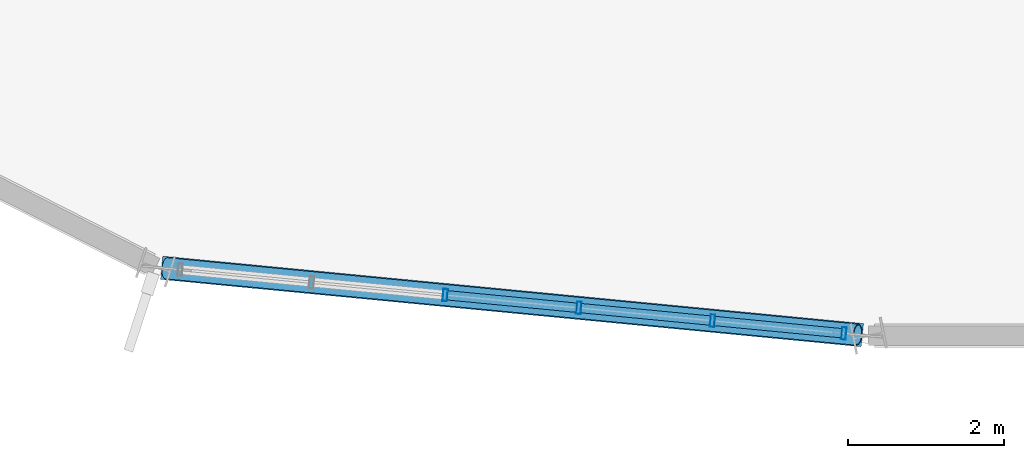
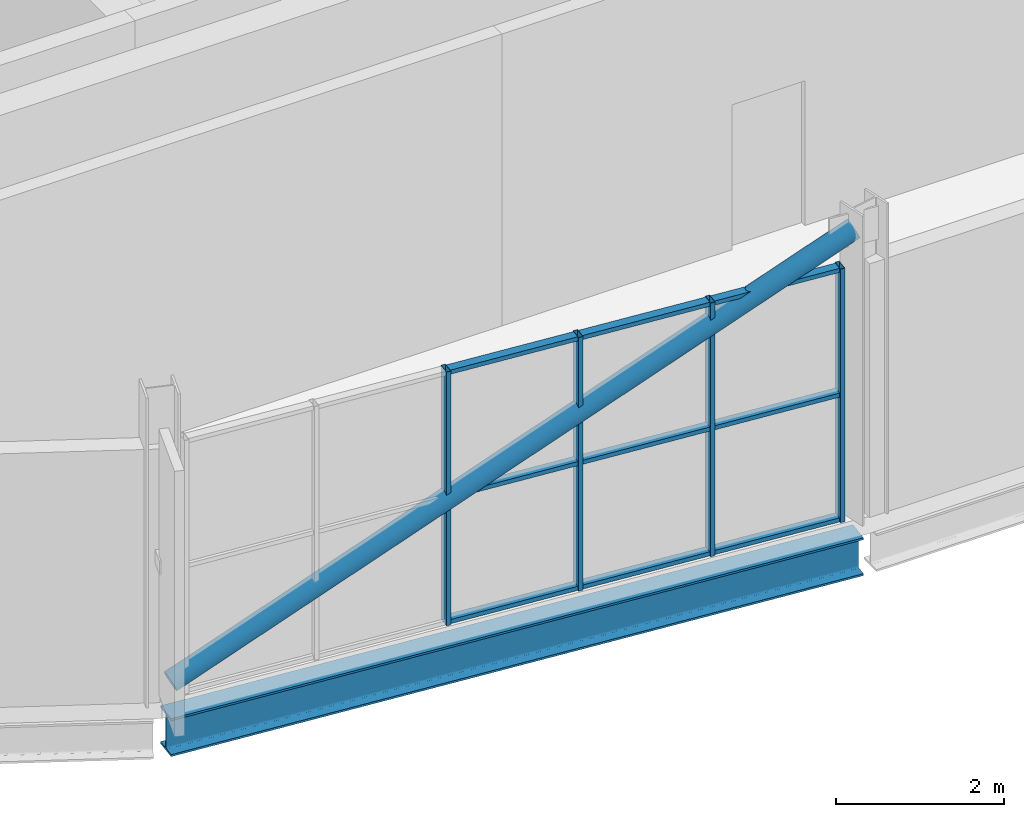
# One storey, part 5 of 22: 14 members, 1 beam, 1 element without a shape of its own.
"""IFC4 building model written with IfcOpenShell, lengths in metres."""

from ifc_helpers import new_model, si_unit, direction, frame, origin, origin_2d, place, context, subcontext, project, spatial, hollow_rectangle, hollow_circle, i_section, extrude, material, layer, layer_set, material_profile, profile_set, type_object, element, aggregate, save


model = new_model("IFC4")

# Units and contexts
model_context = context("Model", 3, precision=1e-05, world=origin(), true_north=direction((0.0, 1.0)))
body_context = subcontext(model_context, "Body", "Model", "MODEL_VIEW")
ifc_project = project(units=[si_unit("LENGTHUNIT", "METRE"), si_unit("AREAUNIT", "SQUARE_METRE"), si_unit("VOLUMEUNIT", "CUBIC_METRE"), si_unit("PLANEANGLEUNIT", "RADIAN"), si_unit("MASSUNIT", "GRAM", prefix="KILO")], contexts=[model_context])

# Site, building, storey
site_placement = place(None, origin())
site = spatial("IfcSite", under=ifc_project, at=site_placement, CompositionType="ELEMENT")
building_placement = place(site_placement, origin())
building = spatial("IfcBuilding", under=site, at=building_placement, Name="Solnavia Interchange Tower", CompositionType="ELEMENT")
storey_placement = place(building_placement, frame((0.0, 0.0, 317.699951171875)))
storey = spatial("IfcBuildingStorey", under=building, at=storey_placement, Name="C04", CompositionType="ELEMENT", Elevation=317.699951171875)

# Curtain wall, members
ifc_material_1 = material(Name="Aluminium Alloy 6063-T6", Category="aluminium")
ifc_layer = layer(ifc_material_1, 0.179931640625)
ifc_layer_set = layer_set([ifc_layer], Name="Aluminium Alloy 6063-T6")
curtain_wall_type = type_object("IfcCurtainWallType", Name="CurtainWall-Crown-CTW6", PredefinedType="NOTDEFINED", material=ifc_layer_set)
curtain_wall_placement = place(storey_placement, origin())
curtain_wall = element("IfcCurtainWall", 1, at=curtain_wall_placement, inside=storey, type_object=curtain_wall_type, Name="CTW-C04-R13 CTW-6 curtain wall", PredefinedType="NOTDEFINED")
ifc_material_profile_1 = material_profile(ifc_material_1, hollow_rectangle(XDim=0.06005859375, YDim=0.159912109375, WallThickness=0.00390625, at=origin_2d()), Name="ALU 160x60x4")
ifc_profile_set_1 = profile_set([ifc_material_profile_1], Name="Aluminium Alloy 6063-T6")
member_type_1 = type_object("IfcMemberType", Name="CW-Mullion-CWM-6", PredefinedType="MULLION", material=ifc_profile_set_1)
member_1_placement = place(storey_placement, frame((23.3603515625, 4.123046875, 0.0), z_axis=(0.0, 0.0, 1.0), x_axis=(0.995408264531, -0.095720357833, 0.0)))
member_1 = element("IfcMember", 2, at=member_1_placement, type_object=member_type_1, Name="CTW-6 mullion 3", PredefinedType="MULLION", context=body_context, shape_type="SweptSolid", body=[
    extrude(hollow_rectangle(XDim=0.06005859375, YDim=0.159912109375, WallThickness=0.00390625, at=origin_2d()), origin(), (0.0, 0.0, 1.0), 3.679931640625),
])
member_2_placement = place(storey_placement, frame((25.077880859375, 3.9580078125, 0.0), z_axis=(0.0, 0.0, 1.0), x_axis=(0.995408264531, -0.095720357833, 0.0)))
member_2 = element("IfcMember", 3, at=member_2_placement, type_object=member_type_1, Name="CTW-6 mullion 4", PredefinedType="MULLION", context=body_context, shape_type="SweptSolid", body=[
    extrude(hollow_rectangle(XDim=0.06005859375, YDim=0.159912109375, WallThickness=0.00390625, at=origin_2d()), origin(), (0.0, 0.0, 1.0), 3.679931640625),
])
member_3_placement = place(storey_placement, frame((26.795166015625, 3.792724609375, 0.0), z_axis=(0.0, 0.0, 1.0), x_axis=(0.995408264531, -0.095720357833, 0.0)))
member_3 = element("IfcMember", 4, at=member_3_placement, type_object=member_type_1, Name="CTW-6 mullion 5", PredefinedType="MULLION", context=body_context, shape_type="SweptSolid", body=[
    extrude(hollow_rectangle(XDim=0.06005859375, YDim=0.159912109375, WallThickness=0.00390625, at=origin_2d()), origin(), (0.0, 0.0, 1.0), 3.679931640625),
])
member_4_placement = place(storey_placement, frame((28.48291015625, 3.63037109375, 0.0), z_axis=(0.0, 0.0, 1.0), x_axis=(0.995408264531, -0.095720357833, 0.0)))
member_4 = element("IfcMember", 5, at=member_4_placement, type_object=member_type_1, Name="CTW-6 mullion 6", PredefinedType="MULLION", context=body_context, shape_type="SweptSolid", body=[
    extrude(hollow_rectangle(XDim=0.06005859375, YDim=0.159912109375, WallThickness=0.00390625, at=origin_2d()), origin(), (0.0, 0.0, 1.0), 3.679931640625),
])
ifc_material_profile_2 = material_profile(ifc_material_1, hollow_rectangle(XDim=0.06005859375, YDim=0.1201171875, WallThickness=0.00390625, at=origin_2d()), Name="ALU 120x60x4")
ifc_profile_set_2 = profile_set([ifc_material_profile_2], Name="Aluminium Alloy 6063-T6")
member_type_2 = type_object("IfcMemberType", Name="CW-Transom-CWT-6", PredefinedType="USERDEFINED", material=ifc_profile_set_2)
member_5_placement = place(storey_placement, frame((23.39013671875, 4.1201171875, 0.030029296875), z_axis=(0.995407417391, -0.095729166945, 0.0), x_axis=(0.0, 0.0, 1.0)))
member_5 = element("IfcMember", 6, at=member_5_placement, type_object=member_type_2, Name="CTW-6 transom 3.1", ObjectType="TRANSOM", PredefinedType="USERDEFINED", context=body_context, shape_type="SweptSolid", body=[
    extrude(hollow_rectangle(XDim=0.06005859375, YDim=0.1201171875, WallThickness=0.00390625, at=origin_2d()), origin(), (0.0, 0.0, 1.0), 1.665283203125),
])
member_6_placement = place(storey_placement, frame((23.39013671875, 4.1201171875, 1.840087890625), z_axis=(0.995407417391, -0.095729166945, 0.0), x_axis=(0.0, 0.0, 1.0)))
member_6 = element("IfcMember", 7, at=member_6_placement, type_object=member_type_2, Name="CTW-6 transom 3.2", ObjectType="TRANSOM", PredefinedType="USERDEFINED", context=body_context, shape_type="SweptSolid", body=[
    extrude(hollow_rectangle(XDim=0.06005859375, YDim=0.1201171875, WallThickness=0.00390625, at=origin_2d()), origin(), (0.0, 0.0, 1.0), 1.665283203125),
])
member_7_placement = place(storey_placement, frame((23.39013671875, 4.1201171875, 3.650146484375), z_axis=(0.995407417391, -0.095729166945, 0.0), x_axis=(0.0, 0.0, 1.0)))
member_7 = element("IfcMember", 8, at=member_7_placement, type_object=member_type_2, Name="CTW-6 transom 3.3", ObjectType="TRANSOM", PredefinedType="USERDEFINED", context=body_context, shape_type="SweptSolid", body=[
    extrude(hollow_rectangle(XDim=0.06005859375, YDim=0.1201171875, WallThickness=0.00390625, at=origin_2d()), origin(), (0.0, 0.0, 1.0), 1.665283203125),
])
member_8_placement = place(storey_placement, frame((25.107666015625, 3.955078125, 0.030029296875), z_axis=(0.995407417391, -0.095729166945, 0.0), x_axis=(0.0, 0.0, 1.0)))
member_8 = element("IfcMember", 9, at=member_8_placement, type_object=member_type_2, Name="CTW-6 transom 4.1", ObjectType="TRANSOM", PredefinedType="USERDEFINED", context=body_context, shape_type="SweptSolid", body=[
    extrude(hollow_rectangle(XDim=0.06005859375, YDim=0.1201171875, WallThickness=0.00390625, at=origin_2d()), origin(), (0.0, 0.0, 1.0), 1.665283203125),
])
member_9_placement = place(storey_placement, frame((25.107666015625, 3.955078125, 1.840087890625), z_axis=(0.995407417391, -0.095729166945, 0.0), x_axis=(0.0, 0.0, 1.0)))
member_9 = element("IfcMember", 10, at=member_9_placement, type_object=member_type_2, Name="CTW-6 transom 4.2", ObjectType="TRANSOM", PredefinedType="USERDEFINED", context=body_context, shape_type="SweptSolid", body=[
    extrude(hollow_rectangle(XDim=0.06005859375, YDim=0.1201171875, WallThickness=0.00390625, at=origin_2d()), origin(), (0.0, 0.0, 1.0), 1.665283203125),
])
member_10_placement = place(storey_placement, frame((25.107666015625, 3.955078125, 3.650146484375), z_axis=(0.995407417391, -0.095729166945, 0.0), x_axis=(0.0, 0.0, 1.0)))
member_10 = element("IfcMember", 11, at=member_10_placement, type_object=member_type_2, Name="CTW-6 transom 4.3", ObjectType="TRANSOM", PredefinedType="USERDEFINED", context=body_context, shape_type="SweptSolid", body=[
    extrude(hollow_rectangle(XDim=0.06005859375, YDim=0.1201171875, WallThickness=0.00390625, at=origin_2d()), origin(), (0.0, 0.0, 1.0), 1.665283203125),
])
member_11_placement = place(storey_placement, frame((26.8251953125, 3.789794921875, 0.030029296875), z_axis=(0.995411216921, -0.095689650577, 0.0), x_axis=(0.0, 0.0, 1.0)))
member_11 = element("IfcMember", 12, at=member_11_placement, type_object=member_type_2, Name="CTW-6 transom 5.1", ObjectType="TRANSOM", PredefinedType="USERDEFINED", context=body_context, shape_type="SweptSolid", body=[
    extrude(hollow_rectangle(XDim=0.06005859375, YDim=0.1201171875, WallThickness=0.00390625, at=origin_2d()), origin(), (0.0, 0.0, 1.0), 1.635498046875),
])
member_12_placement = place(storey_placement, frame((26.8251953125, 3.789794921875, 1.840087890625), z_axis=(0.995411216921, -0.095689650577, 0.0), x_axis=(0.0, 0.0, 1.0)))
member_12 = element("IfcMember", 13, at=member_12_placement, type_object=member_type_2, Name="CTW-6 transom 5.2", ObjectType="TRANSOM", PredefinedType="USERDEFINED", context=body_context, shape_type="SweptSolid", body=[
    extrude(hollow_rectangle(XDim=0.06005859375, YDim=0.1201171875, WallThickness=0.00390625, at=origin_2d()), origin(), (0.0, 0.0, 1.0), 1.635498046875),
])
member_13_placement = place(storey_placement, frame((26.8251953125, 3.789794921875, 3.650146484375), z_axis=(0.995411216921, -0.095689650577, 0.0), x_axis=(0.0, 0.0, 1.0)))
member_13 = element("IfcMember", 14, at=member_13_placement, type_object=member_type_2, Name="CTW-6 transom 5.3", ObjectType="TRANSOM", PredefinedType="USERDEFINED", context=body_context, shape_type="SweptSolid", body=[
    extrude(hollow_rectangle(XDim=0.06005859375, YDim=0.1201171875, WallThickness=0.00390625, at=origin_2d()), origin(), (0.0, 0.0, 1.0), 1.635498046875),
])
aggregate(curtain_wall, [member_1, member_2, member_3, member_4, member_5, member_6, member_7, member_8, member_9, member_10, member_11, member_12, member_13])

# Member
ifc_material_2 = material(Name="Steel S355", Category="steel")
ifc_material_profile_3 = material_profile(ifc_material_2, hollow_circle(Radius=0.136474609375, WallThickness=0.012451171875, at=origin_2d()), Name="CHS 273x12.5")
ifc_profile_set_3 = profile_set([ifc_material_profile_3], Name="Steel S355")
member_type_3 = type_object("IfcMemberType", Name="CrownFrame-Brace-CHS273", PredefinedType="BRACE", material=ifc_profile_set_3)
member_14_placement = place(storey_placement, frame((19.77734375, 4.467529296875, 0.179931640625), z_axis=(0.90909000088, -0.087421148603, 0.407324088505), x_axis=(0.095721789585, 0.99540812685, 0.0)))
element("IfcMember", 15, at=member_14_placement, inside=storey, type_object=member_type_3, Name="BRC-C04-CF13 CROWN FRAME ring brace", PredefinedType="BRACE", context=body_context, shape_type="SweptSolid", body=[
    extrude(hollow_circle(Radius=0.136474609375, WallThickness=0.012451171875, at=origin_2d()), origin(), (0.0, 0.0, 1.0), 9.771728515625),
])

# Beam
ifc_material_3 = material(Name="Steel S460", Category="steel")
ifc_material_profile_4 = material_profile(ifc_material_3, i_section(OverallWidth=0.300048828125, OverallDepth=0.550048828125, WebThickness=0.014892578125, FlangeThickness=0.029052734375, FilletRadius=0.027099609375, at=origin_2d()), Name="HEB 550")
ifc_profile_set_4 = profile_set([ifc_material_profile_4], Name="Steel S460")
beam_type = type_object("IfcBeamType", Name="CrownFrame-Ring-HEB550", PredefinedType="BEAM", material=ifc_profile_set_4)
beam_placement = place(storey_placement, frame((19.717529296875, 4.473388671875, -0.52490234375), z_axis=(0.995408435602, -0.095718578822, 0.0), x_axis=(0.095718578822, 0.995408435602, 0.0)))
element("IfcBeam", 16, at=beam_placement, inside=storey, type_object=beam_type, Name="GRD-C04-CR13 CROWN FRAME outer collar ring beam", PredefinedType="BEAM", context=body_context, shape_type="SweptSolid", body=[
    extrude(i_section(OverallWidth=0.300048828125, OverallDepth=0.550048828125, WebThickness=0.014892578125, FlangeThickness=0.029052734375, FilletRadius=0.027099609375, at=origin_2d()), origin(), (0.0, 0.0, 1.0), 9.04443359375),
])

save(model, "model.ifc")
